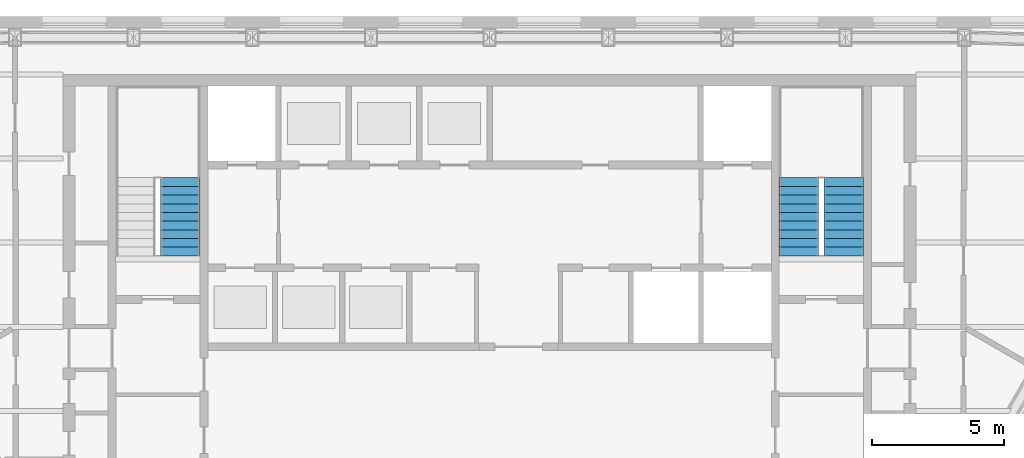
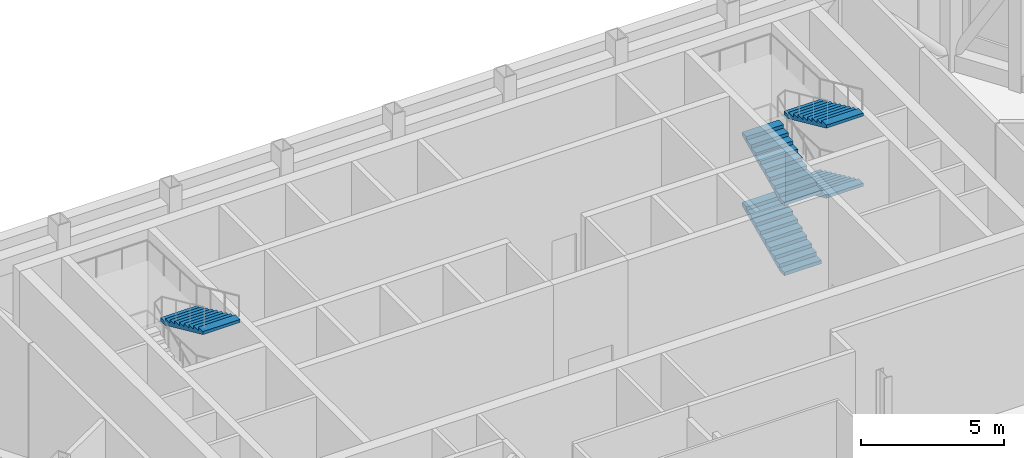
# One storey, part 12 of 14: 5 stair flights, 2 elements without a shape of their own.
"""IFC4 building model written with IfcOpenShell, lengths in metres."""

from ifc_helpers import new_model, si_unit, direction, frame, origin, place, context, subcontext, project, spatial, polygons, material, type_object, element, aggregate, save


model = new_model("IFC4")

# Units and contexts
model_context = context("Model", 3, precision=1e-05, world=origin(), true_north=direction((0.0, 1.0)))
body_context = subcontext(model_context, "Body", "Model", "MODEL_VIEW")
ifc_project = project(units=[si_unit("LENGTHUNIT", "METRE"), si_unit("AREAUNIT", "SQUARE_METRE"), si_unit("VOLUMEUNIT", "CUBIC_METRE"), si_unit("PLANEANGLEUNIT", "RADIAN"), si_unit("MASSUNIT", "GRAM", prefix="KILO")], contexts=[model_context])

# Site, building, storey
site_placement = place(None, origin())
site = spatial("IfcSite", under=ifc_project, at=site_placement, CompositionType="ELEMENT")
building_placement = place(site_placement, origin())
building = spatial("IfcBuilding", under=site, at=building_placement, Name="Njiva Tower", CompositionType="ELEMENT")
storey_placement = place(building_placement, frame((0.0, 0.0, 239.4)))
storey = spatial("IfcBuildingStorey", under=building, at=storey_placement, Name="L54", CompositionType="ELEMENT", Elevation=239.4)

# Stair, stair flight
ifc_material = material(Name="Concrete C40/50", Category="concrete")
stair_type = type_object("IfcStairType", Name="ST4 Exit stair 1500", PredefinedType="HALF_TURN_STAIR", material=ifc_material)
stair_1_placement = place(storey_placement, origin())
stair_1 = element("IfcStair", 1, at=stair_1_placement, inside=storey, type_object=stair_type, Name="Stair A", PredefinedType="DOUBLE_RETURN_STAIR")
stair_flight_type = type_object("IfcStairFlightType", Name="FL4 Stair flight 1500", PredefinedType="STRAIGHT", material=ifc_material)
stair_flight_1_placement = place(storey_placement, frame((-11.75, 14.07, 4.5), z_axis=(0.0, 0.0, 1.0), x_axis=(0.0, -1.0, 0.0)))
stair_flight_1 = element("IfcStairFlight", 2, at=stair_flight_1_placement, type_object=stair_flight_type, Name="ST-A flight 4", NumberOfRisers=10, NumberOfTreads=9, PredefinedType="STRAIGHT", RiserHeight=0.15, TreadLength=0.33, context=body_context, shape_type="Tessellation", body=[
    polygons([(0.0, 0.75, 0.0), (0.0, 0.375, 0.0), (0.0, 0.0, 0.0), (0.0, -0.375, 0.0), (0.0, -0.75, 0.0), (0.0, 0.75, 0.15), (0.0, 0.375, 0.15), (0.0, 0.0, 0.15), (0.0, -0.375, 0.15), (0.0, -0.75, 0.15), (0.33, 0.75, 0.15), (0.33, 0.375, 0.15), (0.33, 0.0, 0.15), (0.33, -0.375, 0.15), (0.33, -0.75, 0.15), (0.33, 0.75, 0.3), (0.33, 0.375, 0.3), (0.33, 0.0, 0.3), (0.33, -0.375, 0.3), (0.33, -0.75, 0.3), (0.66, 0.75, 0.3), (0.66, 0.375, 0.3), (0.66, 0.0, 0.3), (0.66, -0.375, 0.3), (0.66, -0.75, 0.3), (0.66, 0.75, 0.45), (0.66, 0.375, 0.45), (0.66, 0.0, 0.45), (0.66, -0.375, 0.45), (0.66, -0.75, 0.45), (0.99, 0.75, 0.45), (0.99, 0.375, 0.45), (0.99, 0.0, 0.45), (0.99, -0.375, 0.45), (0.99, -0.75, 0.45), (0.99, 0.75, 0.6), (0.99, 0.375, 0.6), (0.99, 0.0, 0.6), (0.99, -0.375, 0.6), (0.99, -0.75, 0.6), (1.32, 0.75, 0.6), (1.32, 0.375, 0.6), (1.32, 0.0, 0.6), (1.32, -0.375, 0.6), (1.32, -0.75, 0.6), (1.32, 0.75, 0.75), (1.32, 0.375, 0.75), (1.32, 0.0, 0.75), (1.32, -0.375, 0.75), (1.32, -0.75, 0.75), (1.65, 0.75, 0.75), (1.65, 0.375, 0.75), (1.65, 0.0, 0.75), (1.65, -0.375, 0.75), (1.65, -0.75, 0.75), (1.65, 0.75, 0.9), (1.65, 0.375, 0.9), (1.65, 0.0, 0.9), (1.65, -0.375, 0.9), (1.65, -0.75, 0.9), (1.98, 0.75, 0.9), (1.98, 0.375, 0.9), (1.98, 0.0, 0.9), (1.98, -0.375, 0.9), (1.98, -0.75, 0.9), (1.98, 0.75, 1.05), (1.98, 0.375, 1.05), (1.98, 0.0, 1.05), (1.98, -0.375, 1.05), (1.98, -0.75, 1.05), (2.31, 0.75, 1.05), (2.31, 0.375, 1.05), (2.31, 0.0, 1.05), (2.31, -0.375, 1.05), (2.31, -0.75, 1.05), (2.31, 0.75, 1.2), (2.31, 0.375, 1.2), (2.31, 0.0, 1.2), (2.31, -0.375, 1.2), (2.31, -0.75, 1.2), (2.64, 0.75, 1.2), (2.64, 0.375, 1.2), (2.64, 0.0, 1.2), (2.64, -0.375, 1.2), (2.64, -0.75, 1.2), (2.64, 0.75, 1.35), (2.64, 0.375, 1.35), (2.64, 0.0, 1.35), (2.64, -0.375, 1.35), (2.64, -0.75, 1.35), (2.97, 0.75, 1.35), (2.97, 0.375, 1.35), (2.97, 0.0, 1.35), (2.97, -0.375, 1.35), (2.97, -0.75, 1.35), (2.97, 0.75, 1.2182), (2.97, 0.375, 1.2182), (2.97, 0.0, 1.2182), (2.97, -0.375, 1.2182), (2.97, -0.75, 1.2182), (0.29, 0.75, 0.0), (0.29, 0.375, 0.0), (0.29, 0.0, 0.0), (0.29, -0.375, 0.0), (0.29, -0.75, 0.0)], [[[1, 6, 11, 16, 21, 26, 31, 36, 41, 46, 51, 56, 61, 66, 71, 76, 81, 86, 91, 96, 101]], [[105, 100, 95, 90, 85, 80, 75, 70, 65, 60, 55, 50, 45, 40, 35, 30, 25, 20, 15, 10, 5]], [[6, 1, 2, 7]], [[7, 2, 3, 8]], [[8, 3, 4, 9]], [[9, 4, 5, 10]], [[11, 6, 7, 12]], [[12, 7, 8, 13]], [[13, 8, 9, 14]], [[14, 9, 10, 15]], [[16, 11, 12, 17]], [[17, 12, 13, 18]], [[18, 13, 14, 19]], [[19, 14, 15, 20]], [[21, 16, 17, 22]], [[22, 17, 18, 23]], [[23, 18, 19, 24]], [[24, 19, 20, 25]], [[26, 21, 22, 27]], [[27, 22, 23, 28]], [[28, 23, 24, 29]], [[29, 24, 25, 30]], [[31, 26, 27, 32]], [[32, 27, 28, 33]], [[33, 28, 29, 34]], [[34, 29, 30, 35]], [[36, 31, 32, 37]], [[37, 32, 33, 38]], [[38, 33, 34, 39]], [[39, 34, 35, 40]], [[41, 36, 37, 42]], [[42, 37, 38, 43]], [[43, 38, 39, 44]], [[44, 39, 40, 45]], [[46, 41, 42, 47]], [[47, 42, 43, 48]], [[48, 43, 44, 49]], [[49, 44, 45, 50]], [[51, 46, 47, 52]], [[52, 47, 48, 53]], [[53, 48, 49, 54]], [[54, 49, 50, 55]], [[56, 51, 52, 57]], [[57, 52, 53, 58]], [[58, 53, 54, 59]], [[59, 54, 55, 60]], [[61, 56, 57, 62]], [[62, 57, 58, 63]], [[63, 58, 59, 64]], [[64, 59, 60, 65]], [[66, 61, 62, 67]], [[67, 62, 63, 68]], [[68, 63, 64, 69]], [[69, 64, 65, 70]], [[71, 66, 67, 72]], [[72, 67, 68, 73]], [[73, 68, 69, 74]], [[74, 69, 70, 75]], [[76, 71, 72, 77]], [[77, 72, 73, 78]], [[78, 73, 74, 79]], [[79, 74, 75, 80]], [[81, 76, 77, 82]], [[82, 77, 78, 83]], [[83, 78, 79, 84]], [[84, 79, 80, 85]], [[86, 81, 82, 87]], [[87, 82, 83, 88]], [[88, 83, 84, 89]], [[89, 84, 85, 90]], [[91, 86, 87, 92]], [[92, 87, 88, 93]], [[93, 88, 89, 94]], [[94, 89, 90, 95]], [[96, 91, 92, 97]], [[97, 92, 93, 98]], [[98, 93, 94, 99]], [[99, 94, 95, 100]], [[101, 96, 97, 102]], [[102, 97, 98, 103]], [[103, 98, 99, 104]], [[104, 99, 100, 105]], [[1, 101, 102, 2]], [[2, 102, 103, 3]], [[3, 103, 104, 4]], [[4, 104, 105, 5]]], closed=True),
])
aggregate(stair_1, [stair_flight_1])

# Stair, stair flights
stair_2_placement = place(storey_placement, origin())
stair_2 = element("IfcStair", 3, at=stair_2_placement, inside=storey, type_object=stair_type, Name="Stair B", PredefinedType="DOUBLE_RETURN_STAIR")
stair_flight_2_placement = place(storey_placement, frame((11.75, 11.1, 0.0), z_axis=(0.0, 0.0, 1.0), x_axis=(0.0, 1.0, 0.0)))
stair_flight_2 = element("IfcStairFlight", 4, at=stair_flight_2_placement, type_object=stair_flight_type, Name="ST-B flight 1", NumberOfRisers=10, NumberOfTreads=9, PredefinedType="STRAIGHT", RiserHeight=0.15, TreadLength=0.33, context=body_context, shape_type="Tessellation", body=[
    polygons([(0.0, 0.75, 0.0), (0.0, 0.375, 0.0), (0.0, 0.0, 0.0), (0.0, -0.375, 0.0), (0.0, -0.75, 0.0), (0.0, 0.75, 0.15), (0.0, 0.375, 0.15), (0.0, 0.0, 0.15), (0.0, -0.375, 0.15), (0.0, -0.75, 0.15), (0.33, 0.75, 0.15), (0.33, 0.375, 0.15), (0.33, 0.0, 0.15), (0.33, -0.375, 0.15), (0.33, -0.75, 0.15), (0.33, 0.75, 0.3), (0.33, 0.375, 0.3), (0.33, 0.0, 0.3), (0.33, -0.375, 0.3), (0.33, -0.75, 0.3), (0.66, 0.75, 0.3), (0.66, 0.375, 0.3), (0.66, 0.0, 0.3), (0.66, -0.375, 0.3), (0.66, -0.75, 0.3), (0.66, 0.75, 0.45), (0.66, 0.375, 0.45), (0.66, 0.0, 0.45), (0.66, -0.375, 0.45), (0.66, -0.75, 0.45), (0.99, 0.75, 0.45), (0.99, 0.375, 0.45), (0.99, 0.0, 0.45), (0.99, -0.375, 0.45), (0.99, -0.75, 0.45), (0.99, 0.75, 0.6), (0.99, 0.375, 0.6), (0.99, 0.0, 0.6), (0.99, -0.375, 0.6), (0.99, -0.75, 0.6), (1.32, 0.75, 0.6), (1.32, 0.375, 0.6), (1.32, 0.0, 0.6), (1.32, -0.375, 0.6), (1.32, -0.75, 0.6), (1.32, 0.75, 0.75), (1.32, 0.375, 0.75), (1.32, 0.0, 0.75), (1.32, -0.375, 0.75), (1.32, -0.75, 0.75), (1.65, 0.75, 0.75), (1.65, 0.375, 0.75), (1.65, 0.0, 0.75), (1.65, -0.375, 0.75), (1.65, -0.75, 0.75), (1.65, 0.75, 0.9), (1.65, 0.375, 0.9), (1.65, 0.0, 0.9), (1.65, -0.375, 0.9), (1.65, -0.75, 0.9), (1.98, 0.75, 0.9), (1.98, 0.375, 0.9), (1.98, 0.0, 0.9), (1.98, -0.375, 0.9), (1.98, -0.75, 0.9), (1.98, 0.75, 1.05), (1.98, 0.375, 1.05), (1.98, 0.0, 1.05), (1.98, -0.375, 1.05), (1.98, -0.75, 1.05), (2.31, 0.75, 1.05), (2.31, 0.375, 1.05), (2.31, 0.0, 1.05), (2.31, -0.375, 1.05), (2.31, -0.75, 1.05), (2.31, 0.75, 1.2), (2.31, 0.375, 1.2), (2.31, 0.0, 1.2), (2.31, -0.375, 1.2), (2.31, -0.75, 1.2), (2.64, 0.75, 1.2), (2.64, 0.375, 1.2), (2.64, 0.0, 1.2), (2.64, -0.375, 1.2), (2.64, -0.75, 1.2), (2.64, 0.75, 1.35), (2.64, 0.375, 1.35), (2.64, 0.0, 1.35), (2.64, -0.375, 1.35), (2.64, -0.75, 1.35), (2.97, 0.75, 1.35), (2.97, 0.375, 1.35), (2.97, 0.0, 1.35), (2.97, -0.375, 1.35), (2.97, -0.75, 1.35), (2.97, 0.75, 1.2182), (2.97, 0.375, 1.2182), (2.97, 0.0, 1.2182), (2.97, -0.375, 1.2182), (2.97, -0.75, 1.2182), (0.29, 0.75, 0.0), (0.29, 0.375, 0.0), (0.29, 0.0, 0.0), (0.29, -0.375, 0.0), (0.29, -0.75, 0.0)], [[[1, 6, 11, 16, 21, 26, 31, 36, 41, 46, 51, 56, 61, 66, 71, 76, 81, 86, 91, 96, 101]], [[105, 100, 95, 90, 85, 80, 75, 70, 65, 60, 55, 50, 45, 40, 35, 30, 25, 20, 15, 10, 5]], [[6, 1, 2, 7]], [[7, 2, 3, 8]], [[8, 3, 4, 9]], [[9, 4, 5, 10]], [[11, 6, 7, 12]], [[12, 7, 8, 13]], [[13, 8, 9, 14]], [[14, 9, 10, 15]], [[16, 11, 12, 17]], [[17, 12, 13, 18]], [[18, 13, 14, 19]], [[19, 14, 15, 20]], [[21, 16, 17, 22]], [[22, 17, 18, 23]], [[23, 18, 19, 24]], [[24, 19, 20, 25]], [[26, 21, 22, 27]], [[27, 22, 23, 28]], [[28, 23, 24, 29]], [[29, 24, 25, 30]], [[31, 26, 27, 32]], [[32, 27, 28, 33]], [[33, 28, 29, 34]], [[34, 29, 30, 35]], [[36, 31, 32, 37]], [[37, 32, 33, 38]], [[38, 33, 34, 39]], [[39, 34, 35, 40]], [[41, 36, 37, 42]], [[42, 37, 38, 43]], [[43, 38, 39, 44]], [[44, 39, 40, 45]], [[46, 41, 42, 47]], [[47, 42, 43, 48]], [[48, 43, 44, 49]], [[49, 44, 45, 50]], [[51, 46, 47, 52]], [[52, 47, 48, 53]], [[53, 48, 49, 54]], [[54, 49, 50, 55]], [[56, 51, 52, 57]], [[57, 52, 53, 58]], [[58, 53, 54, 59]], [[59, 54, 55, 60]], [[61, 56, 57, 62]], [[62, 57, 58, 63]], [[63, 58, 59, 64]], [[64, 59, 60, 65]], [[66, 61, 62, 67]], [[67, 62, 63, 68]], [[68, 63, 64, 69]], [[69, 64, 65, 70]], [[71, 66, 67, 72]], [[72, 67, 68, 73]], [[73, 68, 69, 74]], [[74, 69, 70, 75]], [[76, 71, 72, 77]], [[77, 72, 73, 78]], [[78, 73, 74, 79]], [[79, 74, 75, 80]], [[81, 76, 77, 82]], [[82, 77, 78, 83]], [[83, 78, 79, 84]], [[84, 79, 80, 85]], [[86, 81, 82, 87]], [[87, 82, 83, 88]], [[88, 83, 84, 89]], [[89, 84, 85, 90]], [[91, 86, 87, 92]], [[92, 87, 88, 93]], [[93, 88, 89, 94]], [[94, 89, 90, 95]], [[96, 91, 92, 97]], [[97, 92, 93, 98]], [[98, 93, 94, 99]], [[99, 94, 95, 100]], [[101, 96, 97, 102]], [[102, 97, 98, 103]], [[103, 98, 99, 104]], [[104, 99, 100, 105]], [[1, 101, 102, 2]], [[2, 102, 103, 3]], [[3, 103, 104, 4]], [[4, 104, 105, 5]]], closed=True),
])
stair_flight_3_placement = place(storey_placement, frame((13.45, 14.07, 1.5), z_axis=(0.0, 0.0, 1.0), x_axis=(0.0, -1.0, 0.0)))
stair_flight_3 = element("IfcStairFlight", 5, at=stair_flight_3_placement, type_object=stair_flight_type, Name="ST-B flight 2", NumberOfRisers=10, NumberOfTreads=9, PredefinedType="STRAIGHT", RiserHeight=0.15, TreadLength=0.33, context=body_context, shape_type="Tessellation", body=[
    polygons([(0.0, 0.75, 0.0), (0.0, 0.375, 0.0), (0.0, 0.0, 0.0), (0.0, -0.375, 0.0), (0.0, -0.75, 0.0), (0.0, 0.75, 0.15), (0.0, 0.375, 0.15), (0.0, 0.0, 0.15), (0.0, -0.375, 0.15), (0.0, -0.75, 0.15), (0.33, 0.75, 0.15), (0.33, 0.375, 0.15), (0.33, 0.0, 0.15), (0.33, -0.375, 0.15), (0.33, -0.75, 0.15), (0.33, 0.75, 0.3), (0.33, 0.375, 0.3), (0.33, 0.0, 0.3), (0.33, -0.375, 0.3), (0.33, -0.75, 0.3), (0.66, 0.75, 0.3), (0.66, 0.375, 0.3), (0.66, 0.0, 0.3), (0.66, -0.375, 0.3), (0.66, -0.75, 0.3), (0.66, 0.75, 0.45), (0.66, 0.375, 0.45), (0.66, 0.0, 0.45), (0.66, -0.375, 0.45), (0.66, -0.75, 0.45), (0.99, 0.75, 0.45), (0.99, 0.375, 0.45), (0.99, 0.0, 0.45), (0.99, -0.375, 0.45), (0.99, -0.75, 0.45), (0.99, 0.75, 0.6), (0.99, 0.375, 0.6), (0.99, 0.0, 0.6), (0.99, -0.375, 0.6), (0.99, -0.75, 0.6), (1.32, 0.75, 0.6), (1.32, 0.375, 0.6), (1.32, 0.0, 0.6), (1.32, -0.375, 0.6), (1.32, -0.75, 0.6), (1.32, 0.75, 0.75), (1.32, 0.375, 0.75), (1.32, 0.0, 0.75), (1.32, -0.375, 0.75), (1.32, -0.75, 0.75), (1.65, 0.75, 0.75), (1.65, 0.375, 0.75), (1.65, 0.0, 0.75), (1.65, -0.375, 0.75), (1.65, -0.75, 0.75), (1.65, 0.75, 0.9), (1.65, 0.375, 0.9), (1.65, 0.0, 0.9), (1.65, -0.375, 0.9), (1.65, -0.75, 0.9), (1.98, 0.75, 0.9), (1.98, 0.375, 0.9), (1.98, 0.0, 0.9), (1.98, -0.375, 0.9), (1.98, -0.75, 0.9), (1.98, 0.75, 1.05), (1.98, 0.375, 1.05), (1.98, 0.0, 1.05), (1.98, -0.375, 1.05), (1.98, -0.75, 1.05), (2.31, 0.75, 1.05), (2.31, 0.375, 1.05), (2.31, 0.0, 1.05), (2.31, -0.375, 1.05), (2.31, -0.75, 1.05), (2.31, 0.75, 1.2), (2.31, 0.375, 1.2), (2.31, 0.0, 1.2), (2.31, -0.375, 1.2), (2.31, -0.75, 1.2), (2.64, 0.75, 1.2), (2.64, 0.375, 1.2), (2.64, 0.0, 1.2), (2.64, -0.375, 1.2), (2.64, -0.75, 1.2), (2.64, 0.75, 1.35), (2.64, 0.375, 1.35), (2.64, 0.0, 1.35), (2.64, -0.375, 1.35), (2.64, -0.75, 1.35), (2.97, 0.75, 1.35), (2.97, 0.375, 1.35), (2.97, 0.0, 1.35), (2.97, -0.375, 1.35), (2.97, -0.75, 1.35), (2.97, 0.75, 1.2182), (2.97, 0.375, 1.2182), (2.97, 0.0, 1.2182), (2.97, -0.375, 1.2182), (2.97, -0.75, 1.2182), (0.29, 0.75, 0.0), (0.29, 0.375, 0.0), (0.29, 0.0, 0.0), (0.29, -0.375, 0.0), (0.29, -0.75, 0.0)], [[[1, 6, 11, 16, 21, 26, 31, 36, 41, 46, 51, 56, 61, 66, 71, 76, 81, 86, 91, 96, 101]], [[105, 100, 95, 90, 85, 80, 75, 70, 65, 60, 55, 50, 45, 40, 35, 30, 25, 20, 15, 10, 5]], [[6, 1, 2, 7]], [[7, 2, 3, 8]], [[8, 3, 4, 9]], [[9, 4, 5, 10]], [[11, 6, 7, 12]], [[12, 7, 8, 13]], [[13, 8, 9, 14]], [[14, 9, 10, 15]], [[16, 11, 12, 17]], [[17, 12, 13, 18]], [[18, 13, 14, 19]], [[19, 14, 15, 20]], [[21, 16, 17, 22]], [[22, 17, 18, 23]], [[23, 18, 19, 24]], [[24, 19, 20, 25]], [[26, 21, 22, 27]], [[27, 22, 23, 28]], [[28, 23, 24, 29]], [[29, 24, 25, 30]], [[31, 26, 27, 32]], [[32, 27, 28, 33]], [[33, 28, 29, 34]], [[34, 29, 30, 35]], [[36, 31, 32, 37]], [[37, 32, 33, 38]], [[38, 33, 34, 39]], [[39, 34, 35, 40]], [[41, 36, 37, 42]], [[42, 37, 38, 43]], [[43, 38, 39, 44]], [[44, 39, 40, 45]], [[46, 41, 42, 47]], [[47, 42, 43, 48]], [[48, 43, 44, 49]], [[49, 44, 45, 50]], [[51, 46, 47, 52]], [[52, 47, 48, 53]], [[53, 48, 49, 54]], [[54, 49, 50, 55]], [[56, 51, 52, 57]], [[57, 52, 53, 58]], [[58, 53, 54, 59]], [[59, 54, 55, 60]], [[61, 56, 57, 62]], [[62, 57, 58, 63]], [[63, 58, 59, 64]], [[64, 59, 60, 65]], [[66, 61, 62, 67]], [[67, 62, 63, 68]], [[68, 63, 64, 69]], [[69, 64, 65, 70]], [[71, 66, 67, 72]], [[72, 67, 68, 73]], [[73, 68, 69, 74]], [[74, 69, 70, 75]], [[76, 71, 72, 77]], [[77, 72, 73, 78]], [[78, 73, 74, 79]], [[79, 74, 75, 80]], [[81, 76, 77, 82]], [[82, 77, 78, 83]], [[83, 78, 79, 84]], [[84, 79, 80, 85]], [[86, 81, 82, 87]], [[87, 82, 83, 88]], [[88, 83, 84, 89]], [[89, 84, 85, 90]], [[91, 86, 87, 92]], [[92, 87, 88, 93]], [[93, 88, 89, 94]], [[94, 89, 90, 95]], [[96, 91, 92, 97]], [[97, 92, 93, 98]], [[98, 93, 94, 99]], [[99, 94, 95, 100]], [[101, 96, 97, 102]], [[102, 97, 98, 103]], [[103, 98, 99, 104]], [[104, 99, 100, 105]], [[1, 101, 102, 2]], [[2, 102, 103, 3]], [[3, 103, 104, 4]], [[4, 104, 105, 5]]], closed=True),
])
stair_flight_4_placement = place(storey_placement, frame((11.75, 11.1, 3.0), z_axis=(0.0, 0.0, 1.0), x_axis=(0.0, 1.0, 0.0)))
stair_flight_4 = element("IfcStairFlight", 6, at=stair_flight_4_placement, type_object=stair_flight_type, Name="ST-B flight 3", NumberOfRisers=10, NumberOfTreads=9, PredefinedType="STRAIGHT", RiserHeight=0.15, TreadLength=0.33, context=body_context, shape_type="Tessellation", body=[
    polygons([(0.0, 0.75, 0.0), (0.0, 0.375, 0.0), (0.0, 0.0, 0.0), (0.0, -0.375, 0.0), (0.0, -0.75, 0.0), (0.0, 0.75, 0.15), (0.0, 0.375, 0.15), (0.0, 0.0, 0.15), (0.0, -0.375, 0.15), (0.0, -0.75, 0.15), (0.33, 0.75, 0.15), (0.33, 0.375, 0.15), (0.33, 0.0, 0.15), (0.33, -0.375, 0.15), (0.33, -0.75, 0.15), (0.33, 0.75, 0.3), (0.33, 0.375, 0.3), (0.33, 0.0, 0.3), (0.33, -0.375, 0.3), (0.33, -0.75, 0.3), (0.66, 0.75, 0.3), (0.66, 0.375, 0.3), (0.66, 0.0, 0.3), (0.66, -0.375, 0.3), (0.66, -0.75, 0.3), (0.66, 0.75, 0.45), (0.66, 0.375, 0.45), (0.66, 0.0, 0.45), (0.66, -0.375, 0.45), (0.66, -0.75, 0.45), (0.99, 0.75, 0.45), (0.99, 0.375, 0.45), (0.99, 0.0, 0.45), (0.99, -0.375, 0.45), (0.99, -0.75, 0.45), (0.99, 0.75, 0.6), (0.99, 0.375, 0.6), (0.99, 0.0, 0.6), (0.99, -0.375, 0.6), (0.99, -0.75, 0.6), (1.32, 0.75, 0.6), (1.32, 0.375, 0.6), (1.32, 0.0, 0.6), (1.32, -0.375, 0.6), (1.32, -0.75, 0.6), (1.32, 0.75, 0.75), (1.32, 0.375, 0.75), (1.32, 0.0, 0.75), (1.32, -0.375, 0.75), (1.32, -0.75, 0.75), (1.65, 0.75, 0.75), (1.65, 0.375, 0.75), (1.65, 0.0, 0.75), (1.65, -0.375, 0.75), (1.65, -0.75, 0.75), (1.65, 0.75, 0.9), (1.65, 0.375, 0.9), (1.65, 0.0, 0.9), (1.65, -0.375, 0.9), (1.65, -0.75, 0.9), (1.98, 0.75, 0.9), (1.98, 0.375, 0.9), (1.98, 0.0, 0.9), (1.98, -0.375, 0.9), (1.98, -0.75, 0.9), (1.98, 0.75, 1.05), (1.98, 0.375, 1.05), (1.98, 0.0, 1.05), (1.98, -0.375, 1.05), (1.98, -0.75, 1.05), (2.31, 0.75, 1.05), (2.31, 0.375, 1.05), (2.31, 0.0, 1.05), (2.31, -0.375, 1.05), (2.31, -0.75, 1.05), (2.31, 0.75, 1.2), (2.31, 0.375, 1.2), (2.31, 0.0, 1.2), (2.31, -0.375, 1.2), (2.31, -0.75, 1.2), (2.64, 0.75, 1.2), (2.64, 0.375, 1.2), (2.64, 0.0, 1.2), (2.64, -0.375, 1.2), (2.64, -0.75, 1.2), (2.64, 0.75, 1.35), (2.64, 0.375, 1.35), (2.64, 0.0, 1.35), (2.64, -0.375, 1.35), (2.64, -0.75, 1.35), (2.97, 0.75, 1.35), (2.97, 0.375, 1.35), (2.97, 0.0, 1.35), (2.97, -0.375, 1.35), (2.97, -0.75, 1.35), (2.97, 0.75, 1.2182), (2.97, 0.375, 1.2182), (2.97, 0.0, 1.2182), (2.97, -0.375, 1.2182), (2.97, -0.75, 1.2182), (0.29, 0.75, 0.0), (0.29, 0.375, 0.0), (0.29, 0.0, 0.0), (0.29, -0.375, 0.0), (0.29, -0.75, 0.0)], [[[1, 6, 11, 16, 21, 26, 31, 36, 41, 46, 51, 56, 61, 66, 71, 76, 81, 86, 91, 96, 101]], [[105, 100, 95, 90, 85, 80, 75, 70, 65, 60, 55, 50, 45, 40, 35, 30, 25, 20, 15, 10, 5]], [[6, 1, 2, 7]], [[7, 2, 3, 8]], [[8, 3, 4, 9]], [[9, 4, 5, 10]], [[11, 6, 7, 12]], [[12, 7, 8, 13]], [[13, 8, 9, 14]], [[14, 9, 10, 15]], [[16, 11, 12, 17]], [[17, 12, 13, 18]], [[18, 13, 14, 19]], [[19, 14, 15, 20]], [[21, 16, 17, 22]], [[22, 17, 18, 23]], [[23, 18, 19, 24]], [[24, 19, 20, 25]], [[26, 21, 22, 27]], [[27, 22, 23, 28]], [[28, 23, 24, 29]], [[29, 24, 25, 30]], [[31, 26, 27, 32]], [[32, 27, 28, 33]], [[33, 28, 29, 34]], [[34, 29, 30, 35]], [[36, 31, 32, 37]], [[37, 32, 33, 38]], [[38, 33, 34, 39]], [[39, 34, 35, 40]], [[41, 36, 37, 42]], [[42, 37, 38, 43]], [[43, 38, 39, 44]], [[44, 39, 40, 45]], [[46, 41, 42, 47]], [[47, 42, 43, 48]], [[48, 43, 44, 49]], [[49, 44, 45, 50]], [[51, 46, 47, 52]], [[52, 47, 48, 53]], [[53, 48, 49, 54]], [[54, 49, 50, 55]], [[56, 51, 52, 57]], [[57, 52, 53, 58]], [[58, 53, 54, 59]], [[59, 54, 55, 60]], [[61, 56, 57, 62]], [[62, 57, 58, 63]], [[63, 58, 59, 64]], [[64, 59, 60, 65]], [[66, 61, 62, 67]], [[67, 62, 63, 68]], [[68, 63, 64, 69]], [[69, 64, 65, 70]], [[71, 66, 67, 72]], [[72, 67, 68, 73]], [[73, 68, 69, 74]], [[74, 69, 70, 75]], [[76, 71, 72, 77]], [[77, 72, 73, 78]], [[78, 73, 74, 79]], [[79, 74, 75, 80]], [[81, 76, 77, 82]], [[82, 77, 78, 83]], [[83, 78, 79, 84]], [[84, 79, 80, 85]], [[86, 81, 82, 87]], [[87, 82, 83, 88]], [[88, 83, 84, 89]], [[89, 84, 85, 90]], [[91, 86, 87, 92]], [[92, 87, 88, 93]], [[93, 88, 89, 94]], [[94, 89, 90, 95]], [[96, 91, 92, 97]], [[97, 92, 93, 98]], [[98, 93, 94, 99]], [[99, 94, 95, 100]], [[101, 96, 97, 102]], [[102, 97, 98, 103]], [[103, 98, 99, 104]], [[104, 99, 100, 105]], [[1, 101, 102, 2]], [[2, 102, 103, 3]], [[3, 103, 104, 4]], [[4, 104, 105, 5]]], closed=True),
])
stair_flight_5_placement = place(storey_placement, frame((13.45, 14.07, 4.5), z_axis=(0.0, 0.0, 1.0), x_axis=(0.0, -1.0, 0.0)))
stair_flight_5 = element("IfcStairFlight", 7, at=stair_flight_5_placement, type_object=stair_flight_type, Name="ST-B flight 4", NumberOfRisers=10, NumberOfTreads=9, PredefinedType="STRAIGHT", RiserHeight=0.15, TreadLength=0.33, context=body_context, shape_type="Tessellation", body=[
    polygons([(0.0, 0.75, 0.0), (0.0, 0.375, 0.0), (0.0, 0.0, 0.0), (0.0, -0.375, 0.0), (0.0, -0.75, 0.0), (0.0, 0.75, 0.15), (0.0, 0.375, 0.15), (0.0, 0.0, 0.15), (0.0, -0.375, 0.15), (0.0, -0.75, 0.15), (0.33, 0.75, 0.15), (0.33, 0.375, 0.15), (0.33, 0.0, 0.15), (0.33, -0.375, 0.15), (0.33, -0.75, 0.15), (0.33, 0.75, 0.3), (0.33, 0.375, 0.3), (0.33, 0.0, 0.3), (0.33, -0.375, 0.3), (0.33, -0.75, 0.3), (0.66, 0.75, 0.3), (0.66, 0.375, 0.3), (0.66, 0.0, 0.3), (0.66, -0.375, 0.3), (0.66, -0.75, 0.3), (0.66, 0.75, 0.45), (0.66, 0.375, 0.45), (0.66, 0.0, 0.45), (0.66, -0.375, 0.45), (0.66, -0.75, 0.45), (0.99, 0.75, 0.45), (0.99, 0.375, 0.45), (0.99, 0.0, 0.45), (0.99, -0.375, 0.45), (0.99, -0.75, 0.45), (0.99, 0.75, 0.6), (0.99, 0.375, 0.6), (0.99, 0.0, 0.6), (0.99, -0.375, 0.6), (0.99, -0.75, 0.6), (1.32, 0.75, 0.6), (1.32, 0.375, 0.6), (1.32, 0.0, 0.6), (1.32, -0.375, 0.6), (1.32, -0.75, 0.6), (1.32, 0.75, 0.75), (1.32, 0.375, 0.75), (1.32, 0.0, 0.75), (1.32, -0.375, 0.75), (1.32, -0.75, 0.75), (1.65, 0.75, 0.75), (1.65, 0.375, 0.75), (1.65, 0.0, 0.75), (1.65, -0.375, 0.75), (1.65, -0.75, 0.75), (1.65, 0.75, 0.9), (1.65, 0.375, 0.9), (1.65, 0.0, 0.9), (1.65, -0.375, 0.9), (1.65, -0.75, 0.9), (1.98, 0.75, 0.9), (1.98, 0.375, 0.9), (1.98, 0.0, 0.9), (1.98, -0.375, 0.9), (1.98, -0.75, 0.9), (1.98, 0.75, 1.05), (1.98, 0.375, 1.05), (1.98, 0.0, 1.05), (1.98, -0.375, 1.05), (1.98, -0.75, 1.05), (2.31, 0.75, 1.05), (2.31, 0.375, 1.05), (2.31, 0.0, 1.05), (2.31, -0.375, 1.05), (2.31, -0.75, 1.05), (2.31, 0.75, 1.2), (2.31, 0.375, 1.2), (2.31, 0.0, 1.2), (2.31, -0.375, 1.2), (2.31, -0.75, 1.2), (2.64, 0.75, 1.2), (2.64, 0.375, 1.2), (2.64, 0.0, 1.2), (2.64, -0.375, 1.2), (2.64, -0.75, 1.2), (2.64, 0.75, 1.35), (2.64, 0.375, 1.35), (2.64, 0.0, 1.35), (2.64, -0.375, 1.35), (2.64, -0.75, 1.35), (2.97, 0.75, 1.35), (2.97, 0.375, 1.35), (2.97, 0.0, 1.35), (2.97, -0.375, 1.35), (2.97, -0.75, 1.35), (2.97, 0.75, 1.2182), (2.97, 0.375, 1.2182), (2.97, 0.0, 1.2182), (2.97, -0.375, 1.2182), (2.97, -0.75, 1.2182), (0.29, 0.75, 0.0), (0.29, 0.375, 0.0), (0.29, 0.0, 0.0), (0.29, -0.375, 0.0), (0.29, -0.75, 0.0)], [[[1, 6, 11, 16, 21, 26, 31, 36, 41, 46, 51, 56, 61, 66, 71, 76, 81, 86, 91, 96, 101]], [[105, 100, 95, 90, 85, 80, 75, 70, 65, 60, 55, 50, 45, 40, 35, 30, 25, 20, 15, 10, 5]], [[6, 1, 2, 7]], [[7, 2, 3, 8]], [[8, 3, 4, 9]], [[9, 4, 5, 10]], [[11, 6, 7, 12]], [[12, 7, 8, 13]], [[13, 8, 9, 14]], [[14, 9, 10, 15]], [[16, 11, 12, 17]], [[17, 12, 13, 18]], [[18, 13, 14, 19]], [[19, 14, 15, 20]], [[21, 16, 17, 22]], [[22, 17, 18, 23]], [[23, 18, 19, 24]], [[24, 19, 20, 25]], [[26, 21, 22, 27]], [[27, 22, 23, 28]], [[28, 23, 24, 29]], [[29, 24, 25, 30]], [[31, 26, 27, 32]], [[32, 27, 28, 33]], [[33, 28, 29, 34]], [[34, 29, 30, 35]], [[36, 31, 32, 37]], [[37, 32, 33, 38]], [[38, 33, 34, 39]], [[39, 34, 35, 40]], [[41, 36, 37, 42]], [[42, 37, 38, 43]], [[43, 38, 39, 44]], [[44, 39, 40, 45]], [[46, 41, 42, 47]], [[47, 42, 43, 48]], [[48, 43, 44, 49]], [[49, 44, 45, 50]], [[51, 46, 47, 52]], [[52, 47, 48, 53]], [[53, 48, 49, 54]], [[54, 49, 50, 55]], [[56, 51, 52, 57]], [[57, 52, 53, 58]], [[58, 53, 54, 59]], [[59, 54, 55, 60]], [[61, 56, 57, 62]], [[62, 57, 58, 63]], [[63, 58, 59, 64]], [[64, 59, 60, 65]], [[66, 61, 62, 67]], [[67, 62, 63, 68]], [[68, 63, 64, 69]], [[69, 64, 65, 70]], [[71, 66, 67, 72]], [[72, 67, 68, 73]], [[73, 68, 69, 74]], [[74, 69, 70, 75]], [[76, 71, 72, 77]], [[77, 72, 73, 78]], [[78, 73, 74, 79]], [[79, 74, 75, 80]], [[81, 76, 77, 82]], [[82, 77, 78, 83]], [[83, 78, 79, 84]], [[84, 79, 80, 85]], [[86, 81, 82, 87]], [[87, 82, 83, 88]], [[88, 83, 84, 89]], [[89, 84, 85, 90]], [[91, 86, 87, 92]], [[92, 87, 88, 93]], [[93, 88, 89, 94]], [[94, 89, 90, 95]], [[96, 91, 92, 97]], [[97, 92, 93, 98]], [[98, 93, 94, 99]], [[99, 94, 95, 100]], [[101, 96, 97, 102]], [[102, 97, 98, 103]], [[103, 98, 99, 104]], [[104, 99, 100, 105]], [[1, 101, 102, 2]], [[2, 102, 103, 3]], [[3, 103, 104, 4]], [[4, 104, 105, 5]]], closed=True),
])
aggregate(stair_2, [stair_flight_2, stair_flight_3, stair_flight_4, stair_flight_5])

save(model, "model.ifc")
